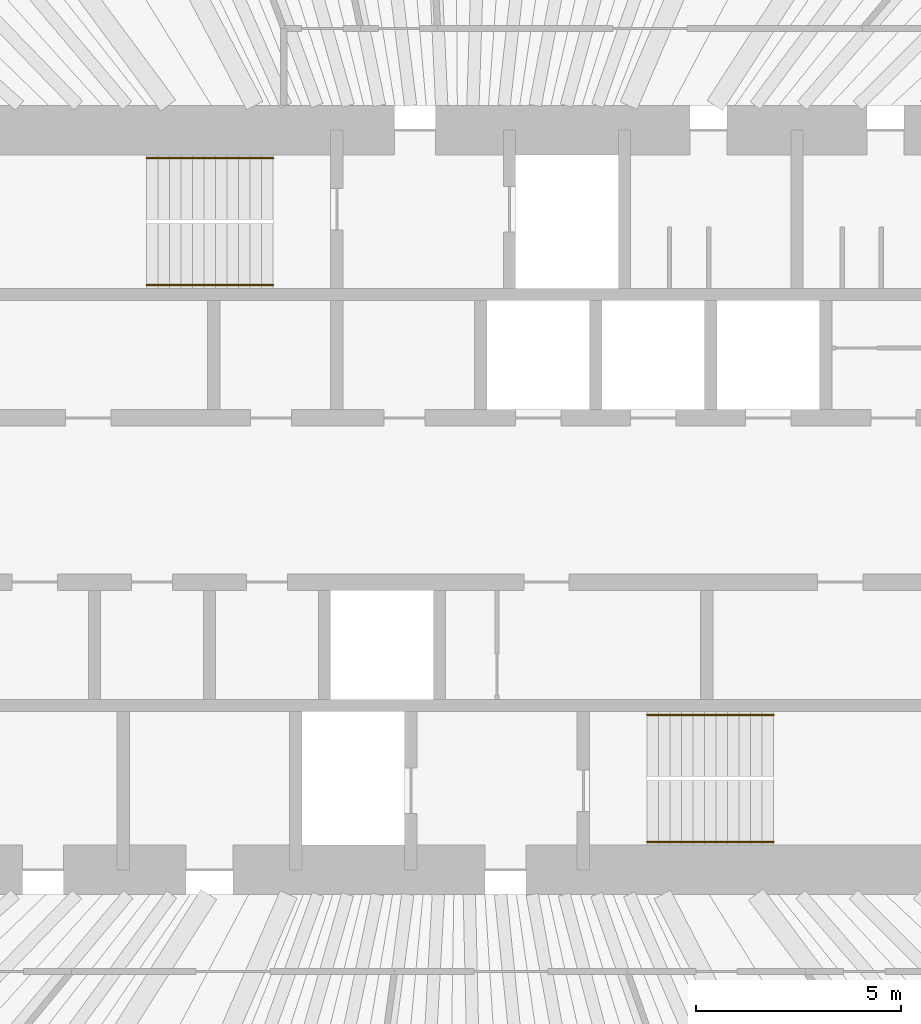
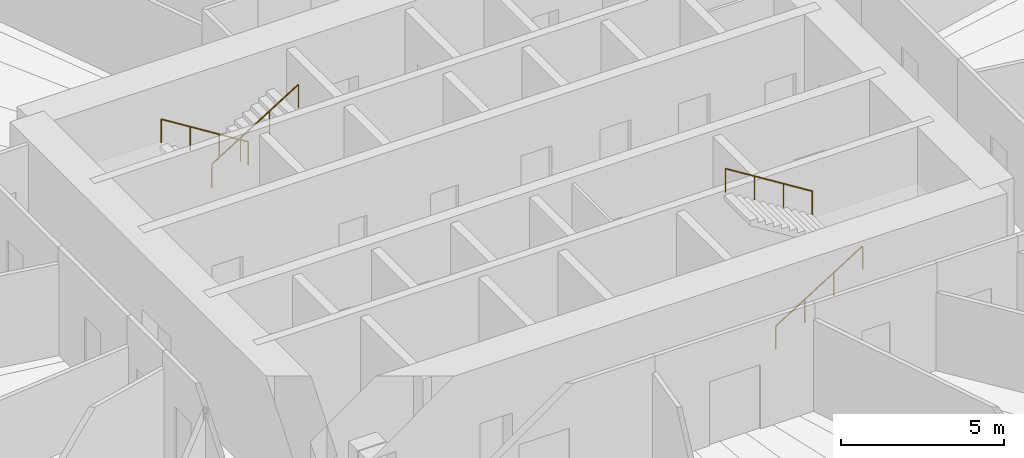
# One storey, part 14 of 14: 4 railings.
"""IFC4 building model written with IfcOpenShell, lengths in metres."""

from ifc_helpers import new_model, si_unit, direction, frame, origin, origin_2d, place, context, subcontext, project, spatial, circle, extrude, material, type_object, element, save


model = new_model("IFC4")

# Units and contexts
model_context = context("Model", 3, precision=1e-05, world=origin(), true_north=direction((0.0, 1.0)))
body_context = subcontext(model_context, "Body", "Model", "MODEL_VIEW")
ifc_project = project(units=[si_unit("LENGTHUNIT", "METRE"), si_unit("AREAUNIT", "SQUARE_METRE"), si_unit("VOLUMEUNIT", "CUBIC_METRE"), si_unit("PLANEANGLEUNIT", "RADIAN"), si_unit("MASSUNIT", "GRAM", prefix="KILO")], contexts=[model_context])

# Site, building, storey
site_placement = place(None, origin())
site = spatial("IfcSite", under=ifc_project, at=site_placement, CompositionType="ELEMENT")
building_placement = place(site_placement, origin())
building = spatial("IfcBuilding", under=site, at=building_placement, Name="Qingtian Harvest Tower", CompositionType="ELEMENT")
storey_placement = place(building_placement, frame((0.0, 0.0, 239.199951171875)))
storey = spatial("IfcBuildingStorey", under=building, at=storey_placement, Name="L52", CompositionType="ELEMENT", Elevation=239.199951171875)

# Railings
ifc_material = material(Name="Stainless steel handrail", Category="steel")
railing_type = type_object("IfcRailingType", Name="Handrail HR1", PredefinedType="HANDRAIL", material=ifc_material)
railing_1_placement = place(storey_placement, frame((-4.550048828125, 8.320068359375, 0.175048828125)))
element("IfcRailing", 1, at=railing_1_placement, inside=storey, type_object=railing_type, Name="Handrail HR1 S1 flight 1", PredefinedType="HANDRAIL", context=body_context, shape_type="SweptSolid", body=[
    extrude(circle(Radius=0.02392578125, at=origin_2d()), frame((0.0, 0.0, 0.8759765625), z_axis=(-0.847979421464, 0.0, 0.530029150871), x_axis=(0.0, -1.0, 0.0)), (0.0, 0.0, 1.0), 3.632080078125),
    extrude(circle(Radius=0.02099609375, at=origin_2d()), origin(), (0.0, 0.0, 1.0), 0.851806640625),
    extrude(circle(Radius=0.02099609375, at=origin_2d()), frame((-1.026611328125, 0.0, 0.6416015625)), (0.0, 0.0, 1.0), 0.851806640625),
    extrude(circle(Radius=0.02099609375, at=origin_2d()), frame((-2.05322265625, 0.0, 1.283447265625)), (0.0, 0.0, 1.0), 0.851806640625),
    extrude(circle(Radius=0.02099609375, at=origin_2d()), frame((-3.079833984375, 0.0, 1.925048828125)), (0.0, 0.0, 1.0), 0.851806640625),
])
railing_2_placement = place(storey_placement, frame((-7.6298828125, 5.22998046875, 2.275146484375)))
element("IfcRailing", 2, at=railing_2_placement, inside=storey, type_object=railing_type, Name="Handrail HR1 S1 flight 2", PredefinedType="HANDRAIL", context=body_context, shape_type="SweptSolid", body=[
    extrude(circle(Radius=0.02392578125, at=origin_2d()), frame((0.0, 0.0, 0.8759765625), z_axis=(0.848009633417, 0.0, 0.529980812513), x_axis=(0.0, 1.0, 0.0)), (0.0, 0.0, 1.0), 3.6318359375),
    extrude(circle(Radius=0.02099609375, at=origin_2d()), origin(), (0.0, 0.0, 1.0), 0.851806640625),
    extrude(circle(Radius=0.02099609375, at=origin_2d()), frame((1.026611328125, 0.0, 0.6416015625)), (0.0, 0.0, 1.0), 0.851806640625),
    extrude(circle(Radius=0.02099609375, at=origin_2d()), frame((2.05322265625, 0.0, 1.283203125)), (0.0, 0.0, 1.0), 0.851806640625),
    extrude(circle(Radius=0.02099609375, at=origin_2d()), frame((3.079833984375, 0.0, 1.9248046875)), (0.0, 0.0, 1.0), 0.851806640625),
])
railing_3_placement = place(storey_placement, frame((4.550048828125, -8.320068359375, 0.175048828125)))
element("IfcRailing", 3, at=railing_3_placement, inside=storey, type_object=railing_type, Name="Handrail HR1 S2 flight 1", PredefinedType="HANDRAIL", context=body_context, shape_type="SweptSolid", body=[
    extrude(circle(Radius=0.02392578125, at=origin_2d()), frame((0.0, 0.0, 0.8759765625), z_axis=(0.847979421464, 0.0, 0.530029150871), x_axis=(0.0, 1.0, 0.0)), (0.0, 0.0, 1.0), 3.632080078125),
    extrude(circle(Radius=0.02099609375, at=origin_2d()), origin(), (0.0, 0.0, 1.0), 0.851806640625),
    extrude(circle(Radius=0.02099609375, at=origin_2d()), frame((1.026611328125, 0.0, 0.6416015625)), (0.0, 0.0, 1.0), 0.851806640625),
    extrude(circle(Radius=0.02099609375, at=origin_2d()), frame((2.05322265625, 0.0, 1.283447265625)), (0.0, 0.0, 1.0), 0.851806640625),
    extrude(circle(Radius=0.02099609375, at=origin_2d()), frame((3.079833984375, 0.0, 1.925048828125)), (0.0, 0.0, 1.0), 0.851806640625),
])
railing_4_placement = place(storey_placement, frame((7.6298828125, -5.22998046875, 2.275146484375)))
element("IfcRailing", 4, at=railing_4_placement, inside=storey, type_object=railing_type, Name="Handrail HR1 S2 flight 2", PredefinedType="HANDRAIL", context=body_context, shape_type="SweptSolid", body=[
    extrude(circle(Radius=0.02392578125, at=origin_2d()), frame((0.0, 0.0, 0.8759765625), z_axis=(-0.848009633417, 0.0, 0.529980812513), x_axis=(0.0, -1.0, 0.0)), (0.0, 0.0, 1.0), 3.6318359375),
    extrude(circle(Radius=0.02099609375, at=origin_2d()), origin(), (0.0, 0.0, 1.0), 0.851806640625),
    extrude(circle(Radius=0.02099609375, at=origin_2d()), frame((-1.026611328125, 0.0, 0.6416015625)), (0.0, 0.0, 1.0), 0.851806640625),
    extrude(circle(Radius=0.02099609375, at=origin_2d()), frame((-2.05322265625, 0.0, 1.283203125)), (0.0, 0.0, 1.0), 0.851806640625),
    extrude(circle(Radius=0.02099609375, at=origin_2d()), frame((-3.079833984375, 0.0, 1.9248046875)), (0.0, 0.0, 1.0), 0.851806640625),
])

save(model, "model.ifc")
